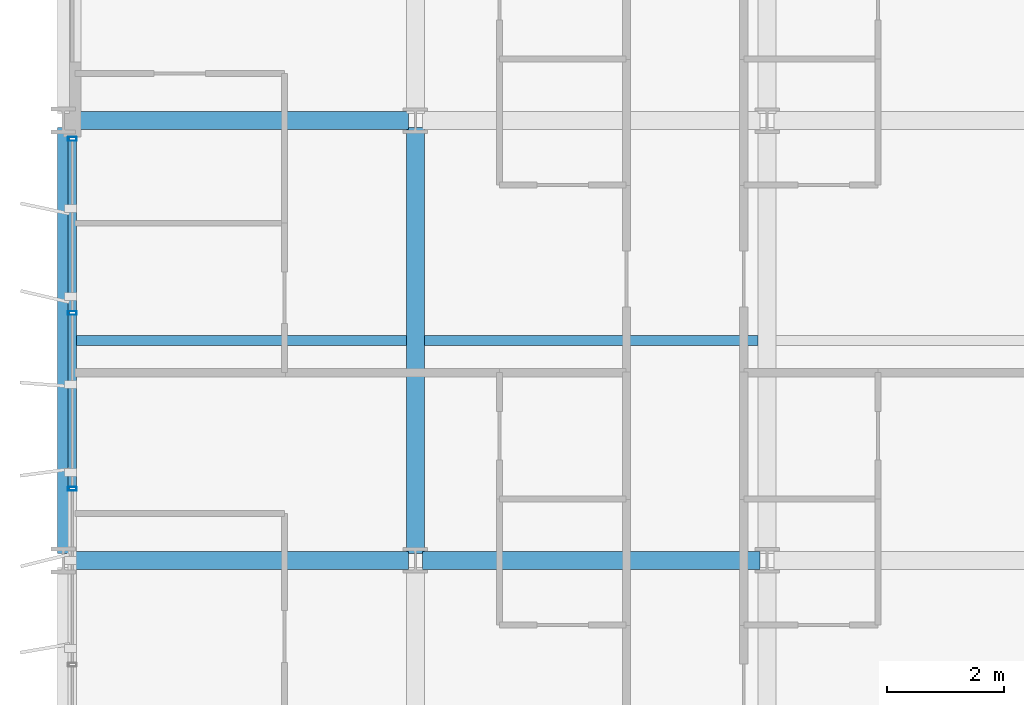
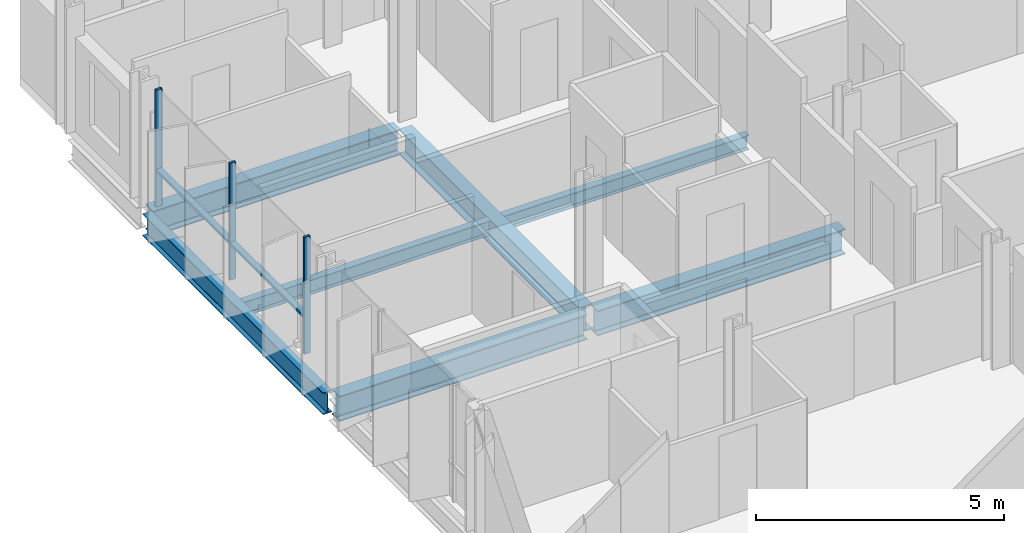
# One storey, part 5 of 39: 7 beams, 5 members, 1 element without a shape of its own.
"""IFC4 building model written with IfcOpenShell, lengths in metres."""

from ifc_helpers import new_model, si_unit, direction, frame, origin, origin_2d, place, context, subcontext, project, spatial, hollow_rectangle, i_section, extrude, material, layer, layer_set, material_profile, profile_set, type_object, element, aggregate, save


model = new_model("IFC4")

# Units and contexts
model_context = context("Model", 3, precision=1e-05, world=origin(), true_north=direction((0.0, 1.0)))
body_context = subcontext(model_context, "Body", "Model", "MODEL_VIEW")
ifc_project = project(units=[si_unit("LENGTHUNIT", "METRE"), si_unit("AREAUNIT", "SQUARE_METRE"), si_unit("VOLUMEUNIT", "CUBIC_METRE"), si_unit("PLANEANGLEUNIT", "RADIAN"), si_unit("MASSUNIT", "GRAM", prefix="KILO")], contexts=[model_context])

# Site, building, storey
site_placement = place(None, origin())
site = spatial("IfcSite", under=ifc_project, at=site_placement, CompositionType="ELEMENT")
building_placement = place(site_placement, origin())
building = spatial("IfcBuilding", under=site, at=building_placement, Name="Brevholm Reach", CompositionType="ELEMENT")
storey_placement = place(building_placement, frame((0.0, 0.0, 83.800048828125)))
storey = spatial("IfcBuildingStorey", under=building, at=storey_placement, Name="L24", CompositionType="ELEMENT", Elevation=83.800048828125)

# Beams
ifc_material_1 = material(Name="Structural Steel S355J2", Category="steel")
ifc_material_profile_1 = material_profile(ifc_material_1, i_section(OverallWidth=0.17138671875, OverallDepth=0.35498046875, WebThickness=0.00732421875, FlangeThickness=0.011474609375, FilletRadius=0.01025390625, at=origin_2d()), Name="UKB 356x171x51")
ifc_profile_set_1 = profile_set([ifc_material_profile_1], Name="Structural Steel S355J2")
beam_type_1 = type_object("IfcBeamType", Name="BM-B356", PredefinedType="BEAM", material=ifc_profile_set_1)
beam_1_placement = place(storey_placement, frame((0.10546875, 19.75, -0.407470703125), z_axis=(1.0, 0.0, 0.0), x_axis=(0.0, 1.0, 0.0)))
element("IfcBeam", 1, at=beam_1_placement, inside=storey, type_object=beam_type_1, Name="L24 Composite Secondary Floor Beam", PredefinedType="BEAM", context=body_context, shape_type="SweptSolid", body=[
    extrude(i_section(OverallWidth=0.17138671875, OverallDepth=0.35498046875, WebThickness=0.00732421875, FlangeThickness=0.011474609375, FilletRadius=0.01025390625, at=origin_2d()), origin(), (0.0, 0.0, 1.0), 5.740966796875),
])
beam_2_placement = place(storey_placement, frame((6.153564453125, 19.75, -0.407470703125), z_axis=(1.0, 0.0, 0.0), x_axis=(0.0, 1.0, 0.0)))
element("IfcBeam", 2, at=beam_2_placement, inside=storey, type_object=beam_type_1, Name="L24 Composite Secondary Floor Beam", PredefinedType="BEAM", context=body_context, shape_type="SweptSolid", body=[
    extrude(i_section(OverallWidth=0.17138671875, OverallDepth=0.35498046875, WebThickness=0.00732421875, FlangeThickness=0.011474609375, FilletRadius=0.01025390625, at=origin_2d()), origin(), (0.0, 0.0, 1.0), 5.69287109375),
])
ifc_material_2 = material(Name="Structural Steel S355J2", Category="steel")
ifc_material_profile_2 = material_profile(ifc_material_2, i_section(OverallWidth=0.210693359375, OverallDepth=0.53955078125, WebThickness=0.01171875, FlangeThickness=0.018798828125, FilletRadius=0.0126953125, at=origin_2d()), Name="UKB 533x210x109")
ifc_profile_set_2 = profile_set([ifc_material_profile_2], Name="Structural Steel S355J2")
beam_type_2 = type_object("IfcBeamType", Name="BM-SP539", PredefinedType="SPANDREL", material=ifc_profile_set_2)
beam_3_placement = place(storey_placement, frame((0.0, 16.1201171875, -0.499755859375), z_axis=(0.0, 1.0, 0.0), x_axis=(-1.0, 0.0, 0.0)))
element("IfcBeam", 3, at=beam_3_placement, inside=storey, type_object=beam_type_2, Name="L24 SP-01B Framing Beam", PredefinedType="SPANDREL", context=body_context, shape_type="SweptSolid", body=[
    extrude(i_section(OverallWidth=0.210693359375, OverallDepth=0.53955078125, WebThickness=0.01171875, FlangeThickness=0.018798828125, FilletRadius=0.0126953125, at=origin_2d()), origin(), (0.0, 0.0, 1.0), 7.259765625),
])
ifc_material_3 = material(Name="Structural Steel S355J2", Category="steel")
ifc_material_profile_3 = material_profile(ifc_material_3, i_section(OverallWidth=0.30712890625, OverallDepth=0.6201171875, WebThickness=0.01416015625, FlangeThickness=0.023681640625, FilletRadius=0.0166015625, at=origin_2d()), Name="UKB 610x305x179")
ifc_profile_set_3 = profile_set([ifc_material_profile_3], Name="Structural Steel S355J2")
beam_type_3 = type_object("IfcBeamType", Name="BM-UKB610H", PredefinedType="USERDEFINED", material=ifc_profile_set_3)
for number, where, z_axis, x_axis, name in (
    (4, (0.1201171875, 16.0, -0.5400390625), (1.0, 0.0, 0.0), (0.0, 1.0, 0.0), "L24 G-06 Framing Beam"),
    (5, (6.1201171875, 16.0, -0.5400390625), (1.0, 0.0, 0.0), (0.0, 1.0, 0.0), "L24 G-06 Framing Beam"),
    (6, (0.1201171875, 23.5, -0.5400390625), (1.0, 0.0, 0.0), (0.0, 1.0, 0.0), "L24 G-06 Framing Beam"),
):
    element("IfcBeam", number, at=place(storey_placement, frame(where, z_axis=z_axis, x_axis=x_axis)), inside=storey, type_object=beam_type_3, Name=name, ObjectType="GIRDER", PredefinedType="USERDEFINED", context=body_context, shape_type="SweptSolid", body=[
        extrude(i_section(OverallWidth=0.30712890625, OverallDepth=0.6201171875, WebThickness=0.01416015625, FlangeThickness=0.023681640625, FilletRadius=0.0166015625, at=origin_2d()), origin(), (0.0, 0.0, 1.0), 5.759765625),
    ])
beam_4_placement = place(storey_placement, frame((6.0, 16.1201171875, -0.5400390625), z_axis=(0.0, 1.0, 0.0), x_axis=(-1.0, 0.0, 0.0)))
element("IfcBeam", 7, at=beam_4_placement, inside=storey, type_object=beam_type_3, Name="L24 G-06 Framing Beam", ObjectType="GIRDER", PredefinedType="USERDEFINED", context=body_context, shape_type="SweptSolid", body=[
    extrude(i_section(OverallWidth=0.30712890625, OverallDepth=0.6201171875, WebThickness=0.01416015625, FlangeThickness=0.023681640625, FilletRadius=0.0166015625, at=origin_2d()), origin(), (0.0, 0.0, 1.0), 7.259765625),
])

# Curtain wall, members
ifc_material_4 = material(Name="Dark Anodised Aluminium 6063-T6 and Solar-Control Glass", Category="aluminium")
ifc_layer = layer(ifc_material_4, 0.14990234375)
ifc_layer_set = layer_set([ifc_layer], Name="Dark Anodised Aluminium 6063-T6 and Solar-Control Glass")
curtain_wall_type = type_object("IfcCurtainWallType", Name="CW-01", PredefinedType="NOTDEFINED", material=ifc_layer_set)
curtain_wall_placement = place(storey_placement, origin())
curtain_wall = element("IfcCurtainWall", 8, at=curtain_wall_placement, inside=storey, type_object=curtain_wall_type, Name="L24 Curtain Wall CW-01", PredefinedType="NOTDEFINED")
ifc_material_5 = material(Name="Dark Anodised Aluminium 6063-T6", Category="aluminium")
ifc_material_profile_4 = material_profile(ifc_material_5, hollow_rectangle(XDim=0.06494140625, YDim=0.14990234375, WallThickness=0.0048828125, InnerFilletRadius=0.0048828125, OuterFilletRadius=0.010009765625, at=origin_2d()), Name="RHS 150x65x5")
ifc_profile_set_4 = profile_set([ifc_material_profile_4], Name="Dark Anodised Aluminium 6063-T6")
member_type_1 = type_object("IfcMemberType", Name="CWM-150", PredefinedType="MULLION", material=ifc_profile_set_4)
member_1_placement = place(storey_placement, frame((0.14990234375, 23.1875, 0.0), z_axis=(0.0, 0.0, 1.0), x_axis=(0.0, -1.0, 0.0)))
member_1 = element("IfcMember", 9, at=member_1_placement, type_object=member_type_1, Name="CM-150 Mullion 1", PredefinedType="MULLION", context=body_context, shape_type="SweptSolid", body=[
    extrude(hollow_rectangle(XDim=0.06494140625, YDim=0.14990234375, WallThickness=0.0048828125, InnerFilletRadius=0.0048828125, OuterFilletRadius=0.010009765625, at=origin_2d()), origin(), (0.0, 0.0, 1.0), 2.869873046875),
])
member_2_placement = place(storey_placement, frame((0.14990234375, 20.219970703125, 0.0), z_axis=(0.0, 0.0, 1.0), x_axis=(0.0, -1.0, 0.0)))
member_2 = element("IfcMember", 10, at=member_2_placement, type_object=member_type_1, Name="CM-150 Mullion 2", PredefinedType="MULLION", context=body_context, shape_type="SweptSolid", body=[
    extrude(hollow_rectangle(XDim=0.06494140625, YDim=0.14990234375, WallThickness=0.0048828125, InnerFilletRadius=0.0048828125, OuterFilletRadius=0.010009765625, at=origin_2d()), origin(), (0.0, 0.0, 1.0), 2.869873046875),
])
member_3_placement = place(storey_placement, frame((0.14990234375, 17.219970703125, 0.0), z_axis=(0.0, 0.0, 1.0), x_axis=(0.0, -1.0, 0.0)))
member_3 = element("IfcMember", 11, at=member_3_placement, type_object=member_type_1, Name="CM-150 Mullion 3", PredefinedType="MULLION", context=body_context, shape_type="SweptSolid", body=[
    extrude(hollow_rectangle(XDim=0.06494140625, YDim=0.14990234375, WallThickness=0.0048828125, InnerFilletRadius=0.0048828125, OuterFilletRadius=0.010009765625, at=origin_2d()), origin(), (0.0, 0.0, 1.0), 2.869873046875),
])
ifc_material_6 = material(Name="Dark Anodised Aluminium 6063-T6", Category="aluminium")
ifc_material_profile_5 = material_profile(ifc_material_6, hollow_rectangle(XDim=0.06494140625, YDim=0.14990234375, WallThickness=0.0048828125, InnerFilletRadius=0.0048828125, OuterFilletRadius=0.010009765625, at=origin_2d()), Name="RHS 150x65x5")
ifc_profile_set_5 = profile_set([ifc_material_profile_5], Name="Dark Anodised Aluminium 6063-T6")
member_type_2 = type_object("IfcMemberType", Name="CWT-150", PredefinedType="NOTDEFINED", material=ifc_profile_set_5)
member_4_placement = place(storey_placement, frame((0.14990234375, 23.155029296875, 0.89990234375), z_axis=(0.0, -1.0, 0.0), x_axis=(0.0, 0.0, 1.0)))
member_4 = element("IfcMember", 12, at=member_4_placement, type_object=member_type_2, Name="CT-150 Transom 1.1", ObjectType="TRANSOM", PredefinedType="USERDEFINED", context=body_context, shape_type="SweptSolid", body=[
    extrude(hollow_rectangle(XDim=0.06494140625, YDim=0.14990234375, WallThickness=0.0048828125, InnerFilletRadius=0.0048828125, OuterFilletRadius=0.010009765625, at=origin_2d()), origin(), (0.0, 0.0, 1.0), 2.902587890625),
])
member_5_placement = place(storey_placement, frame((0.14990234375, 20.1875, 0.89990234375), z_axis=(0.0, -1.0, 0.0), x_axis=(0.0, 0.0, 1.0)))
member_5 = element("IfcMember", 13, at=member_5_placement, type_object=member_type_2, Name="CT-150 Transom 2.1", ObjectType="TRANSOM", PredefinedType="USERDEFINED", context=body_context, shape_type="SweptSolid", body=[
    extrude(hollow_rectangle(XDim=0.06494140625, YDim=0.14990234375, WallThickness=0.0048828125, InnerFilletRadius=0.0048828125, OuterFilletRadius=0.010009765625, at=origin_2d()), origin(), (0.0, 0.0, 1.0), 2.93505859375),
])
aggregate(curtain_wall, [member_1, member_2, member_3, member_4, member_5])

save(model, "model.ifc")
